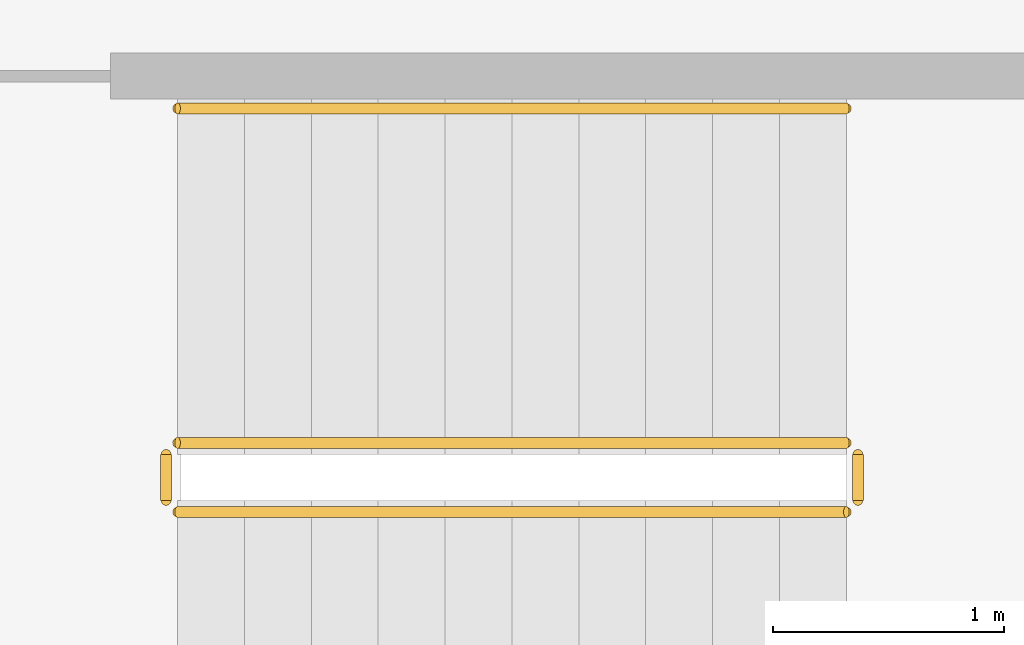
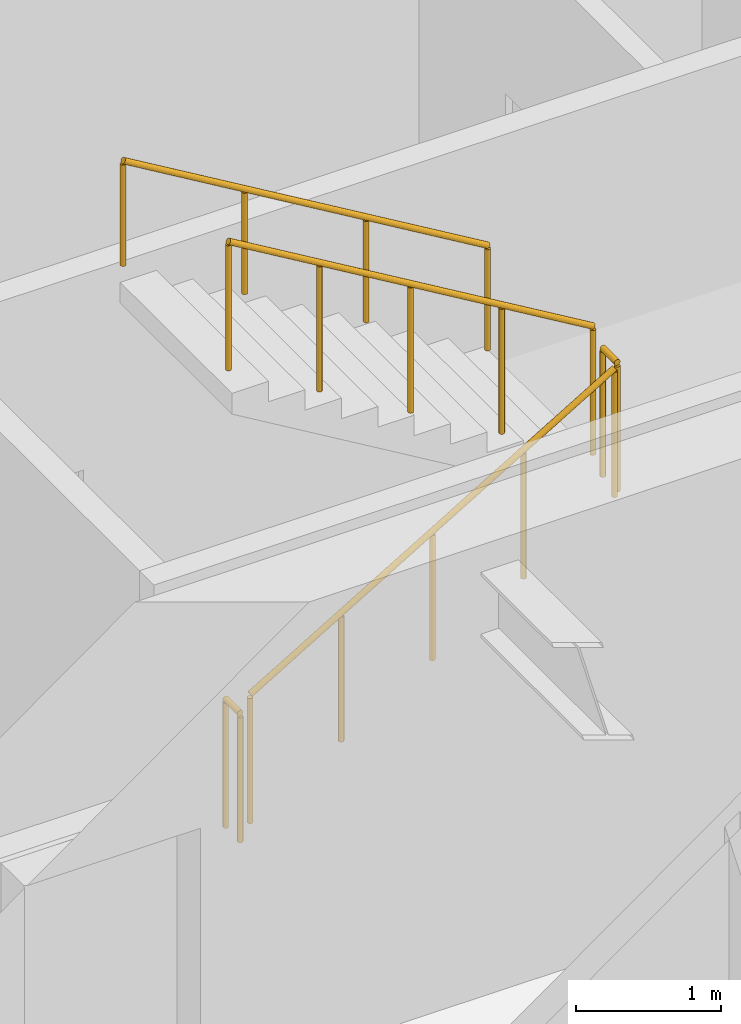
# One storey, part 21 of 22: 5 railings.
"""IFC4 building model written with IfcOpenShell, lengths in metres."""

from ifc_helpers import new_model, si_unit, direction, frame, origin, origin_2d, place, context, subcontext, project, spatial, circle, extrude, material, type_object, element, save


model = new_model("IFC4")

# Units and contexts
model_context = context("Model", 3, precision=1e-05, world=origin(), true_north=direction((0.0, 1.0)))
body_context = subcontext(model_context, "Body", "Model", "MODEL_VIEW")
ifc_project = project(units=[si_unit("LENGTHUNIT", "METRE"), si_unit("AREAUNIT", "SQUARE_METRE"), si_unit("VOLUMEUNIT", "CUBIC_METRE"), si_unit("PLANEANGLEUNIT", "RADIAN"), si_unit("MASSUNIT", "GRAM", prefix="KILO")], contexts=[model_context])

# Site, building, storey
site_placement = place(None, origin())
site = spatial("IfcSite", under=ifc_project, at=site_placement, CompositionType="ELEMENT")
building_placement = place(site_placement, origin())
building = spatial("IfcBuilding", under=site, at=building_placement, Name="Putna Gate Headquarters", CompositionType="ELEMENT")
storey_placement = place(building_placement, frame((0.0, 0.0, 182.199951171875)))
storey = spatial("IfcBuildingStorey", under=building, at=storey_placement, Name="L45", CompositionType="ELEMENT", Elevation=182.199951171875)

# Railings
ifc_material_1 = material(Name="Powder-coated steel stair guardrail", Category="steel")
railing_type_1 = type_object("IfcRailingType", Name="RAIL-STAIR-GUARD-1100", PredefinedType="GUARDRAIL", material=ifc_material_1)
railing_1_placement = place(storey_placement, frame((57.89990234375, 21.10009765625, 0.1728515625)))
element("IfcRailing", 1, at=railing_1_placement, inside=storey, type_object=railing_type_1, Name="L45 ST2 stair guard 1", PredefinedType="GUARDRAIL", context=body_context, shape_type="SweptSolid", body=[
    extrude(circle(Radius=0.02392578125, at=origin_2d()), frame((0.0, 0.0, 1.076171875), z_axis=(0.859160404282, 0.0, 0.51170636083), x_axis=(0.0, 1.0, 0.0)), (0.0, 0.0, 1.0), 3.37548828125),
    extrude(circle(Radius=0.02099609375, at=origin_2d()), origin(), (0.0, 0.0, 1.0), 1.052001953125),
    extrude(circle(Radius=0.02099609375, at=origin_2d()), frame((0.72509765625, 0.0, 0.431884765625)), (0.0, 0.0, 1.0), 1.052001953125),
    extrude(circle(Radius=0.02099609375, at=origin_2d()), frame((1.4501953125, 0.0, 0.86376953125)), (0.0, 0.0, 1.0), 1.052001953125),
    extrude(circle(Radius=0.02099609375, at=origin_2d()), frame((2.175048828125, 0.0, 1.29541015625)), (0.0, 0.0, 1.0), 1.052001953125),
    extrude(circle(Radius=0.02099609375, at=origin_2d()), frame((2.900146484375, 0.0, 1.727294921875)), (0.0, 0.0, 1.0), 1.052001953125),
])
railing_2_placement = place(storey_placement, frame((60.85009765625, 21.14990234375, 1.900146484375)))
element("IfcRailing", 2, at=railing_2_placement, inside=storey, type_object=railing_type_1, Name="L45 ST2 stair guard 2", PredefinedType="GUARDRAIL", context=body_context, shape_type="SweptSolid", body=[
    extrude(circle(Radius=0.02392578125, at=origin_2d()), frame((0.0, 0.0, 1.076171875), z_axis=(0.0, 1.0, 0.0), x_axis=(-1.0, 0.0, 0.0)), (0.0, 0.0, 1.0), 0.2001953125),
    extrude(circle(Radius=0.02099609375, at=origin_2d()), origin(), (0.0, 0.0, 1.0), 1.052001953125),
    extrude(circle(Radius=0.02099609375, at=origin_2d()), frame((0.0, 0.2001953125, 0.0)), (0.0, 0.0, 1.0), 1.052001953125),
])
railing_3_placement = place(storey_placement, frame((60.800048828125, 21.39990234375, 2.07275390625)))
element("IfcRailing", 3, at=railing_3_placement, inside=storey, type_object=railing_type_1, Name="L45 ST2 stair guard 3", PredefinedType="GUARDRAIL", context=body_context, shape_type="SweptSolid", body=[
    extrude(circle(Radius=0.02392578125, at=origin_2d()), frame((0.0, 0.0, 1.076171875), z_axis=(-0.859160404282, 0.0, 0.51170636083), x_axis=(0.0, -1.0, 0.0)), (0.0, 0.0, 1.0), 3.37548828125),
    extrude(circle(Radius=0.02099609375, at=origin_2d()), origin(), (0.0, 0.0, 1.0), 1.052001953125),
    extrude(circle(Radius=0.02099609375, at=origin_2d()), frame((-0.72509765625, 0.0, 0.431884765625)), (0.0, 0.0, 1.0), 1.052001953125),
    extrude(circle(Radius=0.02099609375, at=origin_2d()), frame((-1.4501953125, 0.0, 0.86376953125)), (0.0, 0.0, 1.0), 1.052001953125),
    extrude(circle(Radius=0.02099609375, at=origin_2d()), frame((-2.175048828125, 0.0, 1.29541015625)), (0.0, 0.0, 1.0), 1.052001953125),
    extrude(circle(Radius=0.02099609375, at=origin_2d()), frame((-2.900146484375, 0.0, 1.727294921875)), (0.0, 0.0, 1.0), 1.052001953125),
])
railing_4_placement = place(storey_placement, frame((57.85009765625, 21.14990234375, 0.0)))
element("IfcRailing", 4, at=railing_4_placement, inside=storey, type_object=railing_type_1, Name="L45 ST2 stair guard 4", PredefinedType="GUARDRAIL", context=body_context, shape_type="SweptSolid", body=[
    extrude(circle(Radius=0.02392578125, at=origin_2d()), frame((0.0, 0.0, 1.076171875), z_axis=(0.0, 1.0, 0.0), x_axis=(-1.0, 0.0, 0.0)), (0.0, 0.0, 1.0), 0.2001953125),
    extrude(circle(Radius=0.02099609375, at=origin_2d()), origin(), (0.0, 0.0, 1.0), 1.052001953125),
    extrude(circle(Radius=0.02099609375, at=origin_2d()), frame((0.0, 0.2001953125, 0.0)), (0.0, 0.0, 1.0), 1.052001953125),
])
ifc_material_2 = material(Name="Brushed stainless steel handrail", Category="steel")
railing_type_2 = type_object("IfcRailingType", Name="RAIL-STAIR-HAND-900", PredefinedType="HANDRAIL", material=ifc_material_2)
railing_5_placement = place(storey_placement, frame((60.800048828125, 22.85009765625, 2.07275390625)))
element("IfcRailing", 5, at=railing_5_placement, inside=storey, type_object=railing_type_2, Name="L45 ST2 stair handrail 2", PredefinedType="HANDRAIL", context=body_context, shape_type="SweptSolid", body=[
    extrude(circle(Radius=0.02392578125, at=origin_2d()), frame((0.0, 0.0, 0.8759765625), z_axis=(-0.859160404282, 0.0, 0.51170636083), x_axis=(0.0, -1.0, 0.0)), (0.0, 0.0, 1.0), 3.37548828125),
    extrude(circle(Radius=0.02099609375, at=origin_2d()), origin(), (0.0, 0.0, 1.0), 0.851806640625),
    extrude(circle(Radius=0.02099609375, at=origin_2d()), frame((-0.966796875, 0.0, 0.57568359375)), (0.0, 0.0, 1.0), 0.851806640625),
    extrude(circle(Radius=0.02099609375, at=origin_2d()), frame((-1.933349609375, 0.0, 1.151611328125)), (0.0, 0.0, 1.0), 0.851806640625),
    extrude(circle(Radius=0.02099609375, at=origin_2d()), frame((-2.900146484375, 0.0, 1.727294921875)), (0.0, 0.0, 1.0), 0.851806640625),
])

save(model, "model.ifc")
